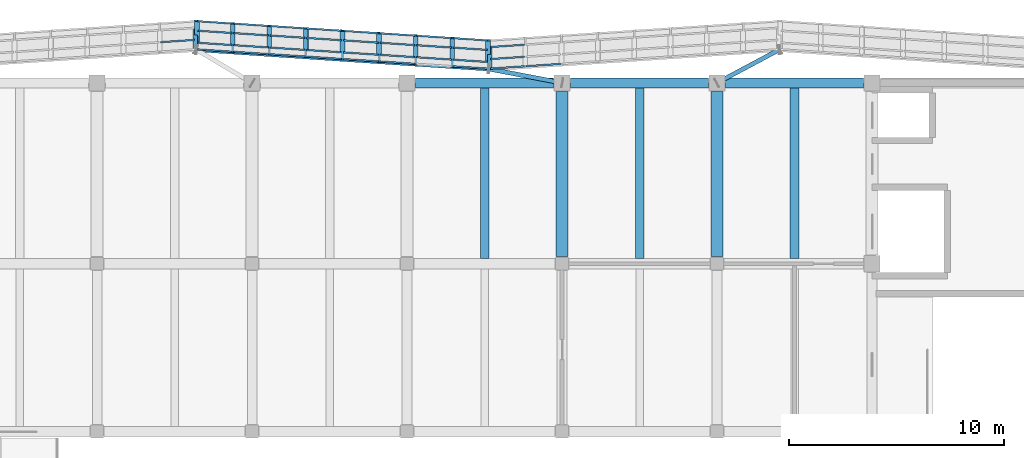
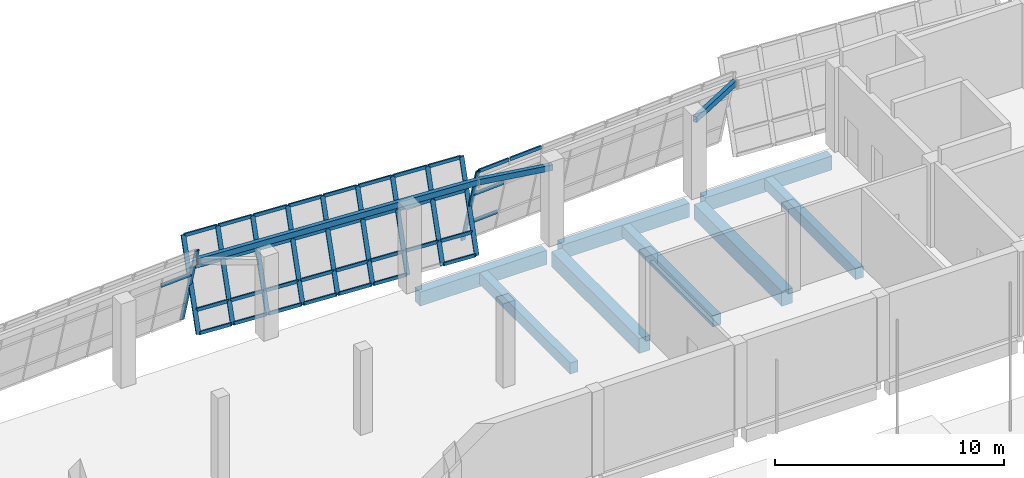
# One storey, part 34 of 71: 47 members, 11 beams, 3 elements without a shape of their own.
"""IFC4 building model written with IfcOpenShell, lengths in metres."""

import ifcopenshell
import ifcopenshell.guid

model = None  # the IFC model being written
_history = None  # IfcOwnerHistory: only IFC2X3 demands one
_inside = {}  # id of a spatial element -> (the spatial element, [elements in it])
_under = {}  # id of a project, library or spatial element -> (it, [spatial elements below it])
_declared = {}  # id of a project -> (the project, [libraries it declares])
_typed = {}  # id of a type object -> (the type object, [elements of that type])
_made_of = {}  # id of a material, layer set ... -> (it, [elements and type objects made of it])


def new_model(schema):
    """Start an empty IFC model of exactly this schema.

    Asked for "IFC4X3", IfcOpenShell would pick the latest addendum, in which some entities
    have other attributes; the version numbers below select the first issue.
    IFC2X3 requires an IfcOwnerHistory on every rooted entity: one is made here for all.
    """
    global model, _history
    if schema == "IFC4X3":
        model = ifcopenshell.file(schema_version=(4, 3, 0, 0))
    else:
        model = ifcopenshell.file(schema=schema)
    _inside.clear()
    _under.clear()
    _declared.clear()
    _typed.clear()
    _made_of.clear()
    _history = None
    if model.schema == "IFC2X3":
        org = make("IfcOrganization", Name="unknown")
        user = make(
            "IfcPersonAndOrganization",
            ThePerson=make("IfcPerson", FamilyName="unknown"),
            TheOrganization=org,
        )
        app = make(
            "IfcApplication",
            ApplicationDeveloper=org,
            Version="unknown",
            ApplicationFullName="unknown",
            ApplicationIdentifier="unknown",
        )
        _history = make(
            "IfcOwnerHistory",
            OwningUser=user,
            OwningApplication=app,
            ChangeAction="ADDED",
            CreationDate=0,
        )
    return model


def make(cls, **values):
    """One entity of the class cls with the attributes given. An attribute that is None is left unset."""
    return model.create_entity(
        cls, **{name: value for name, value in values.items() if value is not None}
    )


def rooted(cls, **values):
    """An entity with a GlobalId (a new one), such as an element, a storey or a relation."""
    return make(cls, GlobalId=ifcopenshell.guid.new(), OwnerHistory=_history, **values)


def si_unit(unit_type, name, prefix=None):
    """IfcSIUnit, for example si_unit("LENGTHUNIT", "METRE", prefix="MILLI")."""
    return make("IfcSIUnit", UnitType=unit_type, Prefix=prefix, Name=name)


def assignment(units):
    """IfcUnitAssignment: the units of a project."""
    return None if units is None else make("IfcUnitAssignment", Units=units)


def point(xyz):
    """IfcCartesianPoint."""
    return None if xyz is None else make("IfcCartesianPoint", Coordinates=xyz)


def direction(xyz):
    """IfcDirection."""
    return None if xyz is None else make("IfcDirection", DirectionRatios=xyz)


def frame(location, z_axis=None, x_axis=None):
    """IfcAxis2Placement3D, a coordinate frame: its origin and axes. An axis left out is left unset."""
    return make(
        "IfcAxis2Placement3D",
        Location=point(location),
        Axis=direction(z_axis),
        RefDirection=direction(x_axis),
    )


def frame_2d(location, x_axis=None):
    """IfcAxis2Placement2D, a coordinate frame in the plane: its origin and x axis."""
    return make(
        "IfcAxis2Placement2D", Location=point(location), RefDirection=direction(x_axis)
    )


def origin():
    """The frame at (0, 0, 0) with its axes left unset."""
    return frame((0.0, 0.0, 0.0))


def origin_2d():
    """The frame at (0, 0) in the plane with its x axis left unset."""
    return frame_2d((0.0, 0.0))


def place(relative_to, where):
    """IfcLocalPlacement: puts the frame where relative to a parent placement (None: the world)."""
    return make(
        "IfcLocalPlacement", PlacementRelTo=relative_to, RelativePlacement=where
    )


def context(
    kind, dimensions, precision=None, world=None, true_north=None, identifier=None
):
    """IfcGeometricRepresentationContext, for example the 3D "Model" context."""
    return make(
        "IfcGeometricRepresentationContext",
        ContextIdentifier=identifier,
        ContextType=kind,
        CoordinateSpaceDimension=dimensions,
        Precision=precision,
        WorldCoordinateSystem=world,
        TrueNorth=true_north,
    )


def subcontext(parent, identifier, kind, view, scale=None):
    """IfcGeometricRepresentationSubContext, for example "Body" below "Model"."""
    return make(
        "IfcGeometricRepresentationSubContext",
        ContextIdentifier=identifier,
        ContextType=kind,
        ParentContext=parent,
        TargetScale=scale,
        TargetView=view,
    )


def project(units=None, contexts=None):
    """IfcProject with its units and contexts."""
    return rooted(
        "IfcProject",
        Name="project",
        RepresentationContexts=contexts,
        UnitsInContext=assignment(units),
    )


def spatial(cls, under=None, at=None, **own):
    """A site, building, storey or space (cls), placed at a placement, below another one or the project."""
    s = rooted(cls, ObjectPlacement=at, **own)
    if under is not None:
        _under.setdefault(under.id(), (under, []))[1].append(s)
    return s


def profile(cls, at=None, kind="AREA", **sizes):
    """A parametric profile (cls). Its sizes go by their IFC names, for example OverallWidth=200.0."""
    return make(cls, ProfileType=kind, Position=at, **sizes)


def rectangle(**sizes):
    """IfcRectangleProfileDef."""
    return profile("IfcRectangleProfileDef", **sizes)


def hollow_rectangle(**sizes):
    """IfcRectangleHollowProfileDef."""
    return profile("IfcRectangleHollowProfileDef", **sizes)


def extrude(swept, where, along, depth):
    """IfcExtrudedAreaSolid: the profile swept, set in the frame where, extruded along a direction by depth."""
    return make(
        "IfcExtrudedAreaSolid",
        SweptArea=swept,
        Position=where,
        ExtrudedDirection=direction(along),
        Depth=depth,
    )


def shape(context_of_items, identifier, shape_type, items):
    """IfcShapeRepresentation: the items that make up one representation, for example the "Body"."""
    return make(
        "IfcShapeRepresentation",
        ContextOfItems=context_of_items,
        RepresentationIdentifier=identifier,
        RepresentationType=shape_type,
        Items=items,
    )


def material(Name=None, Category=None):
    """IfcMaterial."""
    return make("IfcMaterial", Name=Name, Category=Category)


def material_profile(
    of_material, cross_section, Name=None, Category=None, Priority=None
):
    """IfcMaterialProfile: a cross section and its material."""
    return make(
        "IfcMaterialProfile",
        Name=Name,
        Material=of_material,
        Profile=cross_section,
        Priority=Priority,
        Category=Category,
    )


def profile_set(profiles, Name=None, composite=None):
    """IfcMaterialProfileSet."""
    return make(
        "IfcMaterialProfileSet",
        Name=Name,
        MaterialProfiles=profiles,
        CompositeProfile=composite,
    )


def made_of(thing, what):
    """Note that an element or type object is made of a material, layer set ...; save() writes the relation."""
    if what is not None:
        _made_of.setdefault(what.id(), (what, []))[1].append(thing)
    return thing


def type_object(cls, material=None, **own):
    """A type object (cls), such as IfcWallType, which elements share."""
    return made_of(rooted(cls, **own), material)


def element(
    cls,
    number,
    at=None,
    inside=None,
    cuts=None,
    type_object=None,
    material=None,
    context=None,
    identifier="Body",
    shape_type=None,
    held_by="IfcProductDefinitionShape",
    body=None,
    shapes=None,
    **own,
):
    """One element of the class cls, such as IfcWall. Its Tag is "e" and its number.

    at: its placement. inside: the storey or other place that contains it. cuts: it is an
    opening in that element (IfcRelVoidsElement). A single representation is given by context,
    identifier, shape_type and body (its items); several are given by shapes. held_by: the class
    of the entity that holds the representations. save() writes the other relations.
    """
    e = rooted(cls, Tag="e%d" % number, ObjectPlacement=at, **own)
    if body is not None:
        shapes = [shape(context, identifier, shape_type, body)]
    if shapes is not None:
        e.Representation = make(held_by, Representations=shapes)
    if inside is not None:
        _inside.setdefault(inside.id(), (inside, []))[1].append(e)
    if cuts is not None:
        rooted(
            "IfcRelVoidsElement", RelatingBuildingElement=cuts, RelatedOpeningElement=e
        )
    if type_object is not None:
        _typed.setdefault(type_object.id(), (type_object, []))[1].append(e)
    return made_of(e, material)


def aggregate(whole, parts):
    """IfcRelAggregates: a whole, such as a stair, and the parts it consists of."""
    return rooted("IfcRelAggregates", RelatingObject=whole, RelatedObjects=parts)


def save(model, path):
    """Write the relations noted so far, then the file.

    IfcRelAggregates (storeys below a building ...), IfcRelContainedInSpatialStructure (elements
    in a storey), IfcRelDefinesByType, IfcRelAssociatesMaterial and IfcRelDeclares: one each for
    every whole, place, type object, material and project.
    """
    for whole, parts in _under.values():
        aggregate(whole, parts)
    for where, things in _inside.values():
        rooted(
            "IfcRelContainedInSpatialStructure",
            RelatedElements=things,
            RelatingStructure=where,
        )
    for kind, things in _typed.values():
        rooted("IfcRelDefinesByType", RelatedObjects=things, RelatingType=kind)
    for what, things in _made_of.values():
        rooted("IfcRelAssociatesMaterial", RelatedObjects=things, RelatingMaterial=what)
    for by, libraries in _declared.values():
        rooted("IfcRelDeclares", RelatingContext=by, RelatedDefinitions=libraries)
    model.write(path)


model = new_model("IFC4")

# Units and contexts
model_context = context("Model", 3, precision=1e-05, world=origin(), true_north=direction((0.0, 1.0)))
body_context = subcontext(model_context, "Body", "Model", "MODEL_VIEW")
ifc_project = project(units=[si_unit("LENGTHUNIT", "METRE"), si_unit("AREAUNIT", "SQUARE_METRE"), si_unit("VOLUMEUNIT", "CUBIC_METRE"), si_unit("PLANEANGLEUNIT", "RADIAN"), si_unit("MASSUNIT", "GRAM", prefix="KILO")], contexts=[model_context])

# Site, building, storey
site_placement = place(None, origin())
site = spatial("IfcSite", under=ifc_project, at=site_placement, CompositionType="ELEMENT")
building_placement = place(site_placement, origin())
building = spatial("IfcBuilding", under=site, at=building_placement, Name="Pellamere Symphony Hall", CompositionType="ELEMENT")
storey_placement = place(building_placement, frame((0.0, 0.0, 15.0)))
storey = spatial("IfcBuildingStorey", under=building, at=storey_placement, Name="L03", CompositionType="ELEMENT", Elevation=15.0)

# Curtain wall, member
ifc_material_1 = material(Name="Thermally Broken Anodised Aluminium 6063-T6 Curtain Wall", Category="aluminium")
curtain_wall_type = type_object("IfcCurtainWallType", Name="Curtain Wall CW-01 (Tilted Faceted Crystal Low-Iron Curtain Wall)", PredefinedType="NOTDEFINED", material=ifc_material_1)
curtain_wall_1_placement = place(storey_placement, origin())
curtain_wall_1 = element("IfcCurtainWall", 1, at=curtain_wall_1_placement, inside=storey, type_object=curtain_wall_type, Name="Crystal Faceted Curtain Wall CW-CR11 (L03)", PredefinedType="NOTDEFINED")
ifc_material_2 = material(Name="Anodised Architectural Aluminium 6063-T6", Category="aluminium")
ifc_material_profile_1 = material_profile(ifc_material_2, hollow_rectangle(XDim=0.074951171875, YDim=0.219970703125, WallThickness=0.0048828125, at=origin_2d()), Name="ALU-M75X220X5")
ifc_profile_set_1 = profile_set([ifc_material_profile_1], Name="Anodised Architectural Aluminium 6063-T6")
member_type_1 = type_object("IfcMemberType", Name="Curtain Wall Mullion ML-01 ALU-M75X220X5", PredefinedType="MULLION", material=ifc_profile_set_1)
member_1_placement = place(storey_placement, frame((91.4375, 95.58544921875, 0.0), z_axis=(0.0, -0.284024567884, 0.95881700279), x_axis=(0.066519010519, -0.956693374484, -0.283395498301)))
member_1 = element("IfcMember", 2, at=member_1_placement, type_object=member_type_1, Name="CW1-026 crystal mullion 9", PredefinedType="MULLION", context=body_context, shape_type="SweptSolid", body=[
    extrude(hollow_rectangle(XDim=0.074951171875, YDim=0.219970703125, WallThickness=0.0048828125, at=origin_2d()), origin(), (0.0, 0.0, 1.0), 4.693359375),
])

# Curtain wall, members
curtain_wall_2_placement = place(storey_placement, origin())
curtain_wall_2 = element("IfcCurtainWall", 3, at=curtain_wall_2_placement, inside=storey, type_object=curtain_wall_type, Name="Crystal Faceted Curtain Wall CW-CR12 (L03)", PredefinedType="NOTDEFINED")
member_2_placement = place(storey_placement, frame((91.362548828125, 94.25244140625, 0.0), z_axis=(0.0, 0.284024567884, 0.95881700279), x_axis=(0.066032040643, 0.956724387709, -0.283404685161)))
member_2 = element("IfcMember", 4, at=member_2_placement, type_object=member_type_1, Name="CW1-029 crystal mullion 1", PredefinedType="MULLION", context=body_context, shape_type="SweptSolid", body=[
    extrude(hollow_rectangle(XDim=0.074951171875, YDim=0.219970703125, WallThickness=0.0048828125, at=origin_2d()), origin(), (0.0, 0.0, 1.0), 4.693359375),
])
member_3_placement = place(storey_placement, frame((89.699951171875, 94.362548828125, 0.0), z_axis=(0.0, 0.284024567884, 0.95881700279), x_axis=(0.066032040643, 0.956724387709, -0.283404685161)))
member_3 = element("IfcMember", 5, at=member_3_placement, type_object=member_type_1, Name="CW1-029 crystal mullion 2", PredefinedType="MULLION", context=body_context, shape_type="SweptSolid", body=[
    extrude(hollow_rectangle(XDim=0.074951171875, YDim=0.219970703125, WallThickness=0.0048828125, at=origin_2d()), origin(), (0.0, 0.0, 1.0), 4.693359375),
])
member_4_placement = place(storey_placement, frame((88.0, 94.47509765625, 0.0), z_axis=(0.0, 0.284024567884, 0.95881700279), x_axis=(0.066032040643, 0.956724387709, -0.283404685161)))
member_4 = element("IfcMember", 6, at=member_4_placement, type_object=member_type_1, Name="CW1-029 crystal mullion 3", PredefinedType="MULLION", context=body_context, shape_type="SweptSolid", body=[
    extrude(hollow_rectangle(XDim=0.074951171875, YDim=0.219970703125, WallThickness=0.0048828125, at=origin_2d()), origin(), (0.0, 0.0, 1.0), 4.693359375),
])
member_5_placement = place(storey_placement, frame((86.300048828125, 94.58740234375, 0.0), z_axis=(0.0, 0.284024567884, 0.95881700279), x_axis=(0.066032040643, 0.956724387709, -0.283404685161)))
member_5 = element("IfcMember", 7, at=member_5_placement, type_object=member_type_1, Name="CW1-029 crystal mullion 4", PredefinedType="MULLION", context=body_context, shape_type="SweptSolid", body=[
    extrude(hollow_rectangle(XDim=0.074951171875, YDim=0.219970703125, WallThickness=0.0048828125, at=origin_2d()), origin(), (0.0, 0.0, 1.0), 4.693359375),
])
member_6_placement = place(storey_placement, frame((84.60009765625, 94.699951171875, 0.0), z_axis=(0.0, 0.284024567884, 0.95881700279), x_axis=(0.066032040643, 0.956724387709, -0.283404685161)))
member_6 = element("IfcMember", 8, at=member_6_placement, type_object=member_type_1, Name="CW1-029 crystal mullion 5", PredefinedType="MULLION", context=body_context, shape_type="SweptSolid", body=[
    extrude(hollow_rectangle(XDim=0.074951171875, YDim=0.219970703125, WallThickness=0.0048828125, at=origin_2d()), origin(), (0.0, 0.0, 1.0), 4.693359375),
])
member_7_placement = place(storey_placement, frame((82.89990234375, 94.8125, 0.0), z_axis=(0.0, 0.284024567884, 0.95881700279), x_axis=(0.066032040643, 0.956724387709, -0.283404685161)))
member_7 = element("IfcMember", 9, at=member_7_placement, type_object=member_type_1, Name="CW1-029 crystal mullion 6", PredefinedType="MULLION", context=body_context, shape_type="SweptSolid", body=[
    extrude(hollow_rectangle(XDim=0.074951171875, YDim=0.219970703125, WallThickness=0.0048828125, at=origin_2d()), origin(), (0.0, 0.0, 1.0), 4.693359375),
])
member_8_placement = place(storey_placement, frame((81.199951171875, 94.925048828125, 0.0), z_axis=(0.0, 0.284024567884, 0.95881700279), x_axis=(0.066032040643, 0.956724387709, -0.283404685161)))
member_8 = element("IfcMember", 10, at=member_8_placement, type_object=member_type_1, Name="CW1-029 crystal mullion 7", PredefinedType="MULLION", context=body_context, shape_type="SweptSolid", body=[
    extrude(hollow_rectangle(XDim=0.074951171875, YDim=0.219970703125, WallThickness=0.0048828125, at=origin_2d()), origin(), (0.0, 0.0, 1.0), 4.693359375),
])
member_9_placement = place(storey_placement, frame((79.5, 95.03759765625, 0.0), z_axis=(0.0, 0.284024567884, 0.95881700279), x_axis=(0.066032040643, 0.956724387709, -0.283404685161)))
member_9 = element("IfcMember", 11, at=member_9_placement, type_object=member_type_1, Name="CW1-029 crystal mullion 8", PredefinedType="MULLION", context=body_context, shape_type="SweptSolid", body=[
    extrude(hollow_rectangle(XDim=0.074951171875, YDim=0.219970703125, WallThickness=0.0048828125, at=origin_2d()), origin(), (0.0, 0.0, 1.0), 4.693359375),
])
member_10_placement = place(storey_placement, frame((77.83740234375, 95.1474609375, 0.0), z_axis=(0.0, 0.284024567884, 0.95881700279), x_axis=(0.066032040643, 0.956724387709, -0.283404685161)))
member_10 = element("IfcMember", 12, at=member_10_placement, type_object=member_type_1, Name="CW1-029 crystal mullion 9", PredefinedType="MULLION", context=body_context, shape_type="SweptSolid", body=[
    extrude(hollow_rectangle(XDim=0.074951171875, YDim=0.219970703125, WallThickness=0.0048828125, at=origin_2d()), origin(), (0.0, 0.0, 1.0), 4.693359375),
])

# Curtain wall, member
curtain_wall_3_placement = place(storey_placement, origin())
curtain_wall_3 = element("IfcCurtainWall", 13, at=curtain_wall_3_placement, inside=storey, type_object=curtain_wall_type, Name="Crystal Faceted Curtain Wall CW-CR13 (L03)", PredefinedType="NOTDEFINED")
member_11_placement = place(storey_placement, frame((77.7626953125, 96.48046875, 0.0), z_axis=(0.0, -0.284024567884, 0.95881700279), x_axis=(0.066519010519, -0.956693374484, -0.283395498301)))
member_11 = element("IfcMember", 14, at=member_11_placement, type_object=member_type_1, Name="CW1-032 crystal mullion 1", PredefinedType="MULLION", context=body_context, shape_type="SweptSolid", body=[
    extrude(hollow_rectangle(XDim=0.074951171875, YDim=0.219970703125, WallThickness=0.0048828125, at=origin_2d()), origin(), (0.0, 0.0, 1.0), 4.693359375),
])

# Member
ifc_material_profile_2 = material_profile(ifc_material_2, hollow_rectangle(XDim=0.074951171875, YDim=0.179931640625, WallThickness=0.0048828125, at=origin_2d()), Name="ALU-T75X180X5")
ifc_profile_set_2 = profile_set([ifc_material_profile_2], Name="Anodised Architectural Aluminium 6063-T6")
member_type_2 = type_object("IfcMemberType", Name="Curtain Wall Transom TR-01 ALU-T75X180X5", PredefinedType="USERDEFINED", material=ifc_profile_set_2)
member_12_placement = place(storey_placement, frame((94.737548828125, 94.483154296875, 4.464111328125), z_axis=(-0.997788498757, -0.06646887804, 0.0), x_axis=(0.06646887804, -0.997788498757, 0.0)))
member_12 = element("IfcMember", 15, at=member_12_placement, type_object=member_type_2, Name="CW1-026 crystal transom 7.4", ObjectType="TRANSOM", PredefinedType="USERDEFINED", context=body_context, shape_type="SweptSolid", body=[
    extrude(hollow_rectangle(XDim=0.074951171875, YDim=0.179931640625, WallThickness=0.0048828125, at=origin_2d()), origin(), (0.0, 0.0, 1.0), 1.6162109375),
])

member_13_placement = place(storey_placement, frame((93.050048828125, 95.373046875, 1.080078125), z_axis=(-0.997786526209, -0.066498482063, 0.0), x_axis=(0.066498482063, -0.997786526209, 0.0)))
member_13 = element("IfcMember", 16, at=member_13_placement, type_object=member_type_2, Name="CW1-026 crystal transom 8.2", ObjectType="TRANSOM", PredefinedType="USERDEFINED", context=body_context, shape_type="SweptSolid", body=[
    extrude(hollow_rectangle(XDim=0.074951171875, YDim=0.179931640625, WallThickness=0.0048828125, at=origin_2d()), origin(), (0.0, 0.0, 1.0), 1.57861328125),
])

member_14_placement = place(storey_placement, frame((93.050048828125, 94.813232421875, 2.969970703125), z_axis=(-0.997786526209, -0.066498482063, 0.0), x_axis=(0.066498482063, -0.997786526209, 0.0)))
member_14 = element("IfcMember", 17, at=member_14_placement, type_object=member_type_2, Name="CW1-026 crystal transom 8.3", ObjectType="TRANSOM", PredefinedType="USERDEFINED", context=body_context, shape_type="SweptSolid", body=[
    extrude(hollow_rectangle(XDim=0.074951171875, YDim=0.179931640625, WallThickness=0.0048828125, at=origin_2d()), origin(), (0.0, 0.0, 1.0), 1.57861328125),
])

member_15_placement = place(storey_placement, frame((93.050048828125, 94.37060546875, 4.464111328125), z_axis=(-0.997786526209, -0.066498482063, 0.0), x_axis=(0.066498482063, -0.997786526209, 0.0)))
member_15 = element("IfcMember", 18, at=member_15_placement, type_object=member_type_2, Name="CW1-026 crystal transom 8.4", ObjectType="TRANSOM", PredefinedType="USERDEFINED", context=body_context, shape_type="SweptSolid", body=[
    extrude(hollow_rectangle(XDim=0.074951171875, YDim=0.179931640625, WallThickness=0.0048828125, at=origin_2d()), origin(), (0.0, 0.0, 1.0), 1.57861328125),
])

aggregate(curtain_wall_1, [member_1, member_12, member_13, member_14, member_15])

member_16_placement = place(storey_placement, frame((91.3251953125, 94.265625, 0.035888671875), z_axis=(-0.997821663418, 0.065969144414, 0.0), x_axis=(-0.065969144414, -0.997821663418, 0.0)))
member_16 = element("IfcMember", 19, at=member_16_placement, type_object=member_type_2, Name="CW1-029 crystal transom 1.1", ObjectType="TRANSOM", PredefinedType="USERDEFINED", context=body_context, shape_type="SweptSolid", body=[
    extrude(hollow_rectangle(XDim=0.074951171875, YDim=0.179931640625, WallThickness=0.0048828125, at=origin_2d()), origin(), (0.0, 0.0, 1.0), 1.59130859375),
])

member_17_placement = place(storey_placement, frame((91.3251953125, 94.574951171875, 1.080078125), z_axis=(-0.997821663418, 0.065969144414, 0.0), x_axis=(-0.065969144414, -0.997821663418, 0.0)))
member_17 = element("IfcMember", 20, at=member_17_placement, type_object=member_type_2, Name="CW1-029 crystal transom 1.2", ObjectType="TRANSOM", PredefinedType="USERDEFINED", context=body_context, shape_type="SweptSolid", body=[
    extrude(hollow_rectangle(XDim=0.074951171875, YDim=0.179931640625, WallThickness=0.0048828125, at=origin_2d()), origin(), (0.0, 0.0, 1.0), 1.59130859375),
])

member_18_placement = place(storey_placement, frame((91.3251953125, 95.134765625, 2.969970703125), z_axis=(-0.997821663418, 0.065969144414, 0.0), x_axis=(-0.065969144414, -0.997821663418, 0.0)))
member_18 = element("IfcMember", 21, at=member_18_placement, type_object=member_type_2, Name="CW1-029 crystal transom 1.3", ObjectType="TRANSOM", PredefinedType="USERDEFINED", context=body_context, shape_type="SweptSolid", body=[
    extrude(hollow_rectangle(XDim=0.074951171875, YDim=0.179931640625, WallThickness=0.0048828125, at=origin_2d()), origin(), (0.0, 0.0, 1.0), 1.59130859375),
])

member_19_placement = place(storey_placement, frame((91.3251953125, 95.577392578125, 4.464111328125), z_axis=(-0.997821663418, 0.065969144414, 0.0), x_axis=(-0.065969144414, -0.997821663418, 0.0)))
member_19 = element("IfcMember", 22, at=member_19_placement, type_object=member_type_2, Name="CW1-029 crystal transom 1.4", ObjectType="TRANSOM", PredefinedType="USERDEFINED", context=body_context, shape_type="SweptSolid", body=[
    extrude(hollow_rectangle(XDim=0.074951171875, YDim=0.179931640625, WallThickness=0.0048828125, at=origin_2d()), origin(), (0.0, 0.0, 1.0), 1.59130859375),
])

member_20_placement = place(storey_placement, frame((89.66259765625, 94.684814453125, 1.080078125), z_axis=(-0.9978129259, 0.066101171747, 0.0), x_axis=(-0.066101171747, -0.9978129259, 0.0)))
member_20 = element("IfcMember", 23, at=member_20_placement, type_object=member_type_2, Name="CW1-029 crystal transom 2.2", ObjectType="TRANSOM", PredefinedType="USERDEFINED", context=body_context, shape_type="SweptSolid", body=[
    extrude(hollow_rectangle(XDim=0.074951171875, YDim=0.179931640625, WallThickness=0.0048828125, at=origin_2d()), origin(), (0.0, 0.0, 1.0), 1.62890625),
])

member_21_placement = place(storey_placement, frame((89.66259765625, 95.244873046875, 2.969970703125), z_axis=(-0.997822801026, 0.065951935174, 0.0), x_axis=(-0.065951935174, -0.997822801026, 0.0)))
member_21 = element("IfcMember", 24, at=member_21_placement, type_object=member_type_2, Name="CW1-029 crystal transom 2.3", ObjectType="TRANSOM", PredefinedType="USERDEFINED", context=body_context, shape_type="SweptSolid", body=[
    extrude(hollow_rectangle(XDim=0.074951171875, YDim=0.179931640625, WallThickness=0.0048828125, at=origin_2d()), origin(), (0.0, 0.0, 1.0), 1.62890625),
])

member_22_placement = place(storey_placement, frame((89.66259765625, 95.687255859375, 4.464111328125), z_axis=(-0.9978129259, 0.066101171747, 0.0), x_axis=(-0.066101171747, -0.9978129259, 0.0)))
member_22 = element("IfcMember", 25, at=member_22_placement, type_object=member_type_2, Name="CW1-029 crystal transom 2.4", ObjectType="TRANSOM", PredefinedType="USERDEFINED", context=body_context, shape_type="SweptSolid", body=[
    extrude(hollow_rectangle(XDim=0.074951171875, YDim=0.179931640625, WallThickness=0.0048828125, at=origin_2d()), origin(), (0.0, 0.0, 1.0), 1.62890625),
])

member_23_placement = place(storey_placement, frame((87.962646484375, 94.488037109375, 0.035888671875), z_axis=(-0.9978129259, 0.066101171747, 0.0), x_axis=(-0.066101171747, -0.9978129259, 0.0)))
member_23 = element("IfcMember", 26, at=member_23_placement, type_object=member_type_2, Name="CW1-029 crystal transom 3.1", ObjectType="TRANSOM", PredefinedType="USERDEFINED", context=body_context, shape_type="SweptSolid", body=[
    extrude(hollow_rectangle(XDim=0.074951171875, YDim=0.179931640625, WallThickness=0.0048828125, at=origin_2d()), origin(), (0.0, 0.0, 1.0), 1.62890625),
])

member_24_placement = place(storey_placement, frame((87.962646484375, 94.79736328125, 1.080078125), z_axis=(-0.9978129259, 0.066101171747, 0.0), x_axis=(-0.066101171747, -0.9978129259, 0.0)))
member_24 = element("IfcMember", 27, at=member_24_placement, type_object=member_type_2, Name="CW1-029 crystal transom 3.2", ObjectType="TRANSOM", PredefinedType="USERDEFINED", context=body_context, shape_type="SweptSolid", body=[
    extrude(hollow_rectangle(XDim=0.074951171875, YDim=0.179931640625, WallThickness=0.0048828125, at=origin_2d()), origin(), (0.0, 0.0, 1.0), 1.62890625),
])

member_25_placement = place(storey_placement, frame((87.962646484375, 95.357177734375, 2.969970703125), z_axis=(-0.9978129259, 0.066101171747, 0.0), x_axis=(-0.066101171747, -0.9978129259, 0.0)))
member_25 = element("IfcMember", 28, at=member_25_placement, type_object=member_type_2, Name="CW1-029 crystal transom 3.3", ObjectType="TRANSOM", PredefinedType="USERDEFINED", context=body_context, shape_type="SweptSolid", body=[
    extrude(hollow_rectangle(XDim=0.074951171875, YDim=0.179931640625, WallThickness=0.0048828125, at=origin_2d()), origin(), (0.0, 0.0, 1.0), 1.62890625),
])

member_26_placement = place(storey_placement, frame((87.962646484375, 95.7998046875, 4.464111328125), z_axis=(-0.9978129259, 0.066101171747, 0.0), x_axis=(-0.066101171747, -0.9978129259, 0.0)))
member_26 = element("IfcMember", 29, at=member_26_placement, type_object=member_type_2, Name="CW1-029 crystal transom 3.4", ObjectType="TRANSOM", PredefinedType="USERDEFINED", context=body_context, shape_type="SweptSolid", body=[
    extrude(hollow_rectangle(XDim=0.074951171875, YDim=0.179931640625, WallThickness=0.0048828125, at=origin_2d()), origin(), (0.0, 0.0, 1.0), 1.62890625),
])

member_27_placement = place(storey_placement, frame((86.2626953125, 94.6005859375, 0.035888671875), z_axis=(-0.9978129259, 0.066101171747, 0.0), x_axis=(-0.066101171747, -0.9978129259, 0.0)))
member_27 = element("IfcMember", 30, at=member_27_placement, type_object=member_type_2, Name="CW1-029 crystal transom 4.1", ObjectType="TRANSOM", PredefinedType="USERDEFINED", context=body_context, shape_type="SweptSolid", body=[
    extrude(hollow_rectangle(XDim=0.074951171875, YDim=0.179931640625, WallThickness=0.0048828125, at=origin_2d()), origin(), (0.0, 0.0, 1.0), 1.62890625),
])

member_28_placement = place(storey_placement, frame((86.2626953125, 94.909912109375, 1.080078125), z_axis=(-0.997822801026, 0.065951935174, 0.0), x_axis=(-0.065951935174, -0.997822801026, 0.0)))
member_28 = element("IfcMember", 31, at=member_28_placement, type_object=member_type_2, Name="CW1-029 crystal transom 4.2", ObjectType="TRANSOM", PredefinedType="USERDEFINED", context=body_context, shape_type="SweptSolid", body=[
    extrude(hollow_rectangle(XDim=0.074951171875, YDim=0.179931640625, WallThickness=0.0048828125, at=origin_2d()), origin(), (0.0, 0.0, 1.0), 1.62890625),
])

member_29_placement = place(storey_placement, frame((86.2626953125, 95.4697265625, 2.969970703125), z_axis=(-0.9978129259, 0.066101171747, 0.0), x_axis=(-0.066101171747, -0.9978129259, 0.0)))
member_29 = element("IfcMember", 32, at=member_29_placement, type_object=member_type_2, Name="CW1-029 crystal transom 4.3", ObjectType="TRANSOM", PredefinedType="USERDEFINED", context=body_context, shape_type="SweptSolid", body=[
    extrude(hollow_rectangle(XDim=0.074951171875, YDim=0.179931640625, WallThickness=0.0048828125, at=origin_2d()), origin(), (0.0, 0.0, 1.0), 1.62890625),
])

member_30_placement = place(storey_placement, frame((86.2626953125, 95.912353515625, 4.464111328125), z_axis=(-0.997822801026, 0.065951935174, 0.0), x_axis=(-0.065951935174, -0.997822801026, 0.0)))
member_30 = element("IfcMember", 33, at=member_30_placement, type_object=member_type_2, Name="CW1-029 crystal transom 4.4", ObjectType="TRANSOM", PredefinedType="USERDEFINED", context=body_context, shape_type="SweptSolid", body=[
    extrude(hollow_rectangle(XDim=0.074951171875, YDim=0.179931640625, WallThickness=0.0048828125, at=origin_2d()), origin(), (0.0, 0.0, 1.0), 1.62890625),
])

member_31_placement = place(storey_placement, frame((84.5625, 94.713134765625, 0.035888671875), z_axis=(-0.997822148906, 0.065961800709, 0.0), x_axis=(-0.065961800709, -0.997822148906, 0.0)))
member_31 = element("IfcMember", 34, at=member_31_placement, type_object=member_type_2, Name="CW1-029 crystal transom 5.1", ObjectType="TRANSOM", PredefinedType="USERDEFINED", context=body_context, shape_type="SweptSolid", body=[
    extrude(hollow_rectangle(XDim=0.074951171875, YDim=0.179931640625, WallThickness=0.0048828125, at=origin_2d()), origin(), (0.0, 0.0, 1.0), 1.628662109375),
])

member_32_placement = place(storey_placement, frame((84.5625, 95.0224609375, 1.080078125), z_axis=(-0.997822148906, 0.065961800709, 0.0), x_axis=(-0.065961800709, -0.997822148906, 0.0)))
member_32 = element("IfcMember", 35, at=member_32_placement, type_object=member_type_2, Name="CW1-029 crystal transom 5.2", ObjectType="TRANSOM", PredefinedType="USERDEFINED", context=body_context, shape_type="SweptSolid", body=[
    extrude(hollow_rectangle(XDim=0.074951171875, YDim=0.179931640625, WallThickness=0.0048828125, at=origin_2d()), origin(), (0.0, 0.0, 1.0), 1.628662109375),
])

member_33_placement = place(storey_placement, frame((84.5625, 95.582275390625, 2.969970703125), z_axis=(-0.997822148906, 0.065961800709, 0.0), x_axis=(-0.065961800709, -0.997822148906, 0.0)))
member_33 = element("IfcMember", 36, at=member_33_placement, type_object=member_type_2, Name="CW1-029 crystal transom 5.3", ObjectType="TRANSOM", PredefinedType="USERDEFINED", context=body_context, shape_type="SweptSolid", body=[
    extrude(hollow_rectangle(XDim=0.074951171875, YDim=0.179931640625, WallThickness=0.0048828125, at=origin_2d()), origin(), (0.0, 0.0, 1.0), 1.628662109375),
])

member_34_placement = place(storey_placement, frame((84.5625, 96.02490234375, 4.464111328125), z_axis=(-0.997822148906, 0.065961800709, 0.0), x_axis=(-0.065961800709, -0.997822148906, 0.0)))
member_34 = element("IfcMember", 37, at=member_34_placement, type_object=member_type_2, Name="CW1-029 crystal transom 5.4", ObjectType="TRANSOM", PredefinedType="USERDEFINED", context=body_context, shape_type="SweptSolid", body=[
    extrude(hollow_rectangle(XDim=0.074951171875, YDim=0.179931640625, WallThickness=0.0048828125, at=origin_2d()), origin(), (0.0, 0.0, 1.0), 1.628662109375),
])

member_35_placement = place(storey_placement, frame((82.862548828125, 94.82568359375, 0.035888671875), z_axis=(-0.997822801026, 0.065951935174, 0.0), x_axis=(-0.065951935174, -0.997822801026, 0.0)))
member_35 = element("IfcMember", 38, at=member_35_placement, type_object=member_type_2, Name="CW1-029 crystal transom 6.1", ObjectType="TRANSOM", PredefinedType="USERDEFINED", context=body_context, shape_type="SweptSolid", body=[
    extrude(hollow_rectangle(XDim=0.074951171875, YDim=0.179931640625, WallThickness=0.0048828125, at=origin_2d()), origin(), (0.0, 0.0, 1.0), 1.62890625),
])

member_36_placement = place(storey_placement, frame((82.862548828125, 95.135009765625, 1.080078125), z_axis=(-0.997822801026, 0.065951935174, 0.0), x_axis=(-0.065951935174, -0.997822801026, 0.0)))
member_36 = element("IfcMember", 39, at=member_36_placement, type_object=member_type_2, Name="CW1-029 crystal transom 6.2", ObjectType="TRANSOM", PredefinedType="USERDEFINED", context=body_context, shape_type="SweptSolid", body=[
    extrude(hollow_rectangle(XDim=0.074951171875, YDim=0.179931640625, WallThickness=0.0048828125, at=origin_2d()), origin(), (0.0, 0.0, 1.0), 1.62890625),
])

member_37_placement = place(storey_placement, frame((82.862548828125, 95.69482421875, 2.969970703125), z_axis=(-0.997822801026, 0.065951935174, 0.0), x_axis=(-0.065951935174, -0.997822801026, 0.0)))
member_37 = element("IfcMember", 40, at=member_37_placement, type_object=member_type_2, Name="CW1-029 crystal transom 6.3", ObjectType="TRANSOM", PredefinedType="USERDEFINED", context=body_context, shape_type="SweptSolid", body=[
    extrude(hollow_rectangle(XDim=0.074951171875, YDim=0.179931640625, WallThickness=0.0048828125, at=origin_2d()), origin(), (0.0, 0.0, 1.0), 1.62890625),
])

member_38_placement = place(storey_placement, frame((82.862548828125, 96.13720703125, 4.464111328125), z_axis=(-0.9978129259, 0.066101171747, 0.0), x_axis=(-0.066101171747, -0.9978129259, 0.0)))
member_38 = element("IfcMember", 41, at=member_38_placement, type_object=member_type_2, Name="CW1-029 crystal transom 6.4", ObjectType="TRANSOM", PredefinedType="USERDEFINED", context=body_context, shape_type="SweptSolid", body=[
    extrude(hollow_rectangle(XDim=0.074951171875, YDim=0.179931640625, WallThickness=0.0048828125, at=origin_2d()), origin(), (0.0, 0.0, 1.0), 1.62890625),
])

member_39_placement = place(storey_placement, frame((81.16259765625, 94.938232421875, 0.035888671875), z_axis=(-0.997822801026, 0.065951935174, 0.0), x_axis=(-0.065951935174, -0.997822801026, 0.0)))
member_39 = element("IfcMember", 42, at=member_39_placement, type_object=member_type_2, Name="CW1-029 crystal transom 7.1", ObjectType="TRANSOM", PredefinedType="USERDEFINED", context=body_context, shape_type="SweptSolid", body=[
    extrude(hollow_rectangle(XDim=0.074951171875, YDim=0.179931640625, WallThickness=0.0048828125, at=origin_2d()), origin(), (0.0, 0.0, 1.0), 1.62890625),
])

member_40_placement = place(storey_placement, frame((81.16259765625, 95.247314453125, 1.080078125), z_axis=(-0.9978129259, 0.066101171747, 0.0), x_axis=(-0.066101171747, -0.9978129259, 0.0)))
member_40 = element("IfcMember", 43, at=member_40_placement, type_object=member_type_2, Name="CW1-029 crystal transom 7.2", ObjectType="TRANSOM", PredefinedType="USERDEFINED", context=body_context, shape_type="SweptSolid", body=[
    extrude(hollow_rectangle(XDim=0.074951171875, YDim=0.179931640625, WallThickness=0.0048828125, at=origin_2d()), origin(), (0.0, 0.0, 1.0), 1.62890625),
])

member_41_placement = place(storey_placement, frame((81.16259765625, 95.807373046875, 2.969970703125), z_axis=(-0.997822801026, 0.065951935174, 0.0), x_axis=(-0.065951935174, -0.997822801026, 0.0)))
member_41 = element("IfcMember", 44, at=member_41_placement, type_object=member_type_2, Name="CW1-029 crystal transom 7.3", ObjectType="TRANSOM", PredefinedType="USERDEFINED", context=body_context, shape_type="SweptSolid", body=[
    extrude(hollow_rectangle(XDim=0.074951171875, YDim=0.179931640625, WallThickness=0.0048828125, at=origin_2d()), origin(), (0.0, 0.0, 1.0), 1.62890625),
])

member_42_placement = place(storey_placement, frame((81.16259765625, 96.249755859375, 4.464111328125), z_axis=(-0.9978129259, 0.066101171747, 0.0), x_axis=(-0.066101171747, -0.9978129259, 0.0)))
member_42 = element("IfcMember", 45, at=member_42_placement, type_object=member_type_2, Name="CW1-029 crystal transom 7.4", ObjectType="TRANSOM", PredefinedType="USERDEFINED", context=body_context, shape_type="SweptSolid", body=[
    extrude(hollow_rectangle(XDim=0.074951171875, YDim=0.179931640625, WallThickness=0.0048828125, at=origin_2d()), origin(), (0.0, 0.0, 1.0), 1.62890625),
])

member_43_placement = place(storey_placement, frame((79.462646484375, 95.050537109375, 0.035888671875), z_axis=(-0.997811553112, 0.06612189105, 0.0), x_axis=(-0.06612189105, -0.997811553112, 0.0)))
member_43 = element("IfcMember", 46, at=member_43_placement, type_object=member_type_2, Name="CW1-029 crystal transom 8.1", ObjectType="TRANSOM", PredefinedType="USERDEFINED", context=body_context, shape_type="SweptSolid", body=[
    extrude(hollow_rectangle(XDim=0.074951171875, YDim=0.179931640625, WallThickness=0.0048828125, at=origin_2d()), origin(), (0.0, 0.0, 1.0), 1.59130859375),
])

member_44_placement = place(storey_placement, frame((79.462646484375, 95.35986328125, 1.080078125), z_axis=(-0.997811553112, 0.06612189105, 0.0), x_axis=(-0.06612189105, -0.997811553112, 0.0)))
member_44 = element("IfcMember", 47, at=member_44_placement, type_object=member_type_2, Name="CW1-029 crystal transom 8.2", ObjectType="TRANSOM", PredefinedType="USERDEFINED", context=body_context, shape_type="SweptSolid", body=[
    extrude(hollow_rectangle(XDim=0.074951171875, YDim=0.179931640625, WallThickness=0.0048828125, at=origin_2d()), origin(), (0.0, 0.0, 1.0), 1.59130859375),
])

member_45_placement = place(storey_placement, frame((79.462646484375, 95.919677734375, 2.969970703125), z_axis=(-0.997811553112, 0.06612189105, 0.0), x_axis=(-0.06612189105, -0.997811553112, 0.0)))
member_45 = element("IfcMember", 48, at=member_45_placement, type_object=member_type_2, Name="CW1-029 crystal transom 8.3", ObjectType="TRANSOM", PredefinedType="USERDEFINED", context=body_context, shape_type="SweptSolid", body=[
    extrude(hollow_rectangle(XDim=0.074951171875, YDim=0.179931640625, WallThickness=0.0048828125, at=origin_2d()), origin(), (0.0, 0.0, 1.0), 1.59130859375),
])

member_46_placement = place(storey_placement, frame((79.462646484375, 96.3623046875, 4.464111328125), z_axis=(-0.997821663418, 0.065969144414, 0.0), x_axis=(-0.065969144414, -0.997821663418, 0.0)))
member_46 = element("IfcMember", 49, at=member_46_placement, type_object=member_type_2, Name="CW1-029 crystal transom 8.4", ObjectType="TRANSOM", PredefinedType="USERDEFINED", context=body_context, shape_type="SweptSolid", body=[
    extrude(hollow_rectangle(XDim=0.074951171875, YDim=0.179931640625, WallThickness=0.0048828125, at=origin_2d()), origin(), (0.0, 0.0, 1.0), 1.59130859375),
])

aggregate(curtain_wall_2, [member_2, member_3, member_4, member_5, member_6, member_7, member_8, member_9, member_10, member_16, member_17, member_18, member_19, member_20, member_21, member_22, member_23, member_24, member_25, member_26, member_27, member_28, member_29, member_30, member_31, member_32, member_33, member_34, member_35, member_36, member_37, member_38, member_39, member_40, member_41, member_42, member_43, member_44, member_45, member_46])

member_47_placement = place(storey_placement, frame((77.72509765625, 95.59814453125, 2.969970703125), z_axis=(-0.997786526209, -0.066498482063, 0.0), x_axis=(0.066498482063, -0.997786526209, 0.0)))
member_47 = element("IfcMember", 50, at=member_47_placement, type_object=member_type_2, Name="CW1-032 crystal transom 1.3", ObjectType="TRANSOM", PredefinedType="USERDEFINED", context=body_context, shape_type="SweptSolid", body=[
    extrude(hollow_rectangle(XDim=0.074951171875, YDim=0.179931640625, WallThickness=0.0048828125, at=origin_2d()), origin(), (0.0, 0.0, 1.0), 1.57861328125),
])

aggregate(curtain_wall_3, [member_11, member_47])

# Beams
ifc_material_3 = material(Name="Concrete 40 MPa", Category="concrete")
ifc_material_profile_3 = material_profile(ifc_material_3, rectangle(XDim=0.550048828125, YDim=0.800048828125, at=origin_2d()), Name="RC 550x800")
ifc_profile_set_3 = profile_set([ifc_material_profile_3], Name="Concrete 40 MPa")
beam_type_1 = type_object("IfcBeamType", Name="RC CB-05 550x800", PredefinedType="BEAM", material=ifc_profile_set_3)
for number, where, z_axis, x_axis, name in (
    (51, (94.800048828125, 85.52490234375, -0.659912109375), (0.0, 1.0, 0.0), (-1.0, 0.0, 0.0), "Girder CB-05-Y1643 (L03)"),
    (52, (102.0, 85.52490234375, -0.659912109375), (0.0, 1.0, 0.0), (-1.0, 0.0, 0.0), "Girder CB-05-Y1648 (L03)"),
):
    element("IfcBeam", number, at=place(storey_placement, frame(where, z_axis=z_axis, x_axis=x_axis)), inside=storey, type_object=beam_type_1, Name=name, PredefinedType="BEAM", context=body_context, shape_type="SweptSolid", body=[
        extrude(rectangle(XDim=0.550048828125, YDim=0.800048828125, at=origin_2d()), origin(), (0.0, 0.0, 1.0), 7.675048828125),
    ])
ifc_material_profile_4 = material_profile(ifc_material_3, rectangle(XDim=0.39990234375, YDim=0.60009765625, at=origin_2d()), Name="RC 400x600")
ifc_profile_set_4 = profile_set([ifc_material_profile_4], Name="Concrete 40 MPa")
beam_type_2 = type_object("IfcBeamType", Name="RC CB-09 400x600", PredefinedType="BEAM", material=ifc_profile_set_4)
for number, where, z_axis, x_axis, name in (
    (53, (91.199951171875, 85.43994140625, -0.574951171875), (0.0, 1.0, 0.0), (-1.0, 0.0, 0.0), "Secondary Floor Beam CB-09-M1111 (L03)"),
    (54, (98.39990234375, 85.43994140625, -0.574951171875), (0.0, 1.0, 0.0), (-1.0, 0.0, 0.0), "Secondary Floor Beam CB-09-M1211 (L03)"),
    (55, (105.60009765625, 85.43994140625, -0.574951171875), (0.0, 1.0, 0.0), (-1.0, 0.0, 0.0), "Secondary Floor Beam CB-09-M1311 (L03)"),
):
    element("IfcBeam", number, at=place(storey_placement, frame(where, z_axis=z_axis, x_axis=x_axis)), inside=storey, type_object=beam_type_2, Name=name, PredefinedType="BEAM", context=body_context, shape_type="SweptSolid", body=[
        extrude(rectangle(XDim=0.39990234375, YDim=0.60009765625, at=origin_2d()), origin(), (0.0, 0.0, 1.0), 7.93505859375),
    ])
ifc_material_profile_5 = material_profile(ifc_material_3, rectangle(XDim=0.449951171875, YDim=0.75, at=origin_2d()), Name="RC 450x750")
ifc_profile_set_5 = profile_set([ifc_material_profile_5], Name="Concrete 40 MPa")
beam_type_3 = type_object("IfcBeamType", Name="RC CB-12 450x750", PredefinedType="SPANDREL", material=ifc_profile_set_5)
beam_1_placement = place(storey_placement, frame((88.0, 93.60009765625, -0.635009765625), z_axis=(1.0, 0.0, 0.0), x_axis=(0.0, 1.0, 0.0)))
element("IfcBeam", 56, at=beam_1_placement, inside=storey, type_object=beam_type_3, Name="Girder CB-12-X1598 (L03)", PredefinedType="SPANDREL", context=body_context, shape_type="SweptSolid", body=[
    extrude(rectangle(XDim=0.449951171875, YDim=0.75, at=origin_2d()), origin(), (0.0, 0.0, 1.0), 6.39990234375),
])
for number, where, z_axis, x_axis, name in (
    (57, (95.199951171875, 93.60009765625, -0.635009765625), (1.0, 0.0, 0.0), (0.0, 1.0, 0.0), "Girder CB-12-X1599 (L03)"),
    (58, (102.39990234375, 93.60009765625, -0.635009765625), (1.0, 0.0, 0.0), (0.0, 1.0, 0.0), "Girder CB-12-X1600 (L03)"),
):
    element("IfcBeam", number, at=place(storey_placement, frame(where, z_axis=z_axis, x_axis=x_axis)), inside=storey, type_object=beam_type_3, Name=name, PredefinedType="SPANDREL", context=body_context, shape_type="SweptSolid", body=[
        extrude(rectangle(XDim=0.449951171875, YDim=0.75, at=origin_2d()), origin(), (0.0, 0.0, 1.0), 6.400146484375),
    ])
ifc_material_4 = material(Name="Steel CSA G40.21 350W", Category="steel")
ifc_material_profile_6 = material_profile(ifc_material_4, hollow_rectangle(XDim=0.203125, YDim=0.3046875, WallThickness=0.0126953125, at=origin_2d()), Name="HSS305X203X13")
ifc_profile_set_6 = profile_set([ifc_material_profile_6], Name="Steel CSA G40.21 350W")
beam_type_4 = type_object("IfcBeamType", Name="Steel Spandrel SB-26 HSS305X203X13", PredefinedType="SPANDREL", material=ifc_profile_set_6)
beam_2_placement = place(storey_placement, frame((102.0, 93.60009765625, 3.93994140625), z_axis=(0.881949762875, 0.471343415956, 0.0), x_axis=(-0.471343415956, 0.881949762875, 0.0)))
element("IfcBeam", 59, at=beam_2_placement, inside=storey, type_object=beam_type_4, Name="Crystal Ring Outrigger Bracket 053 (L03)", PredefinedType="SPANDREL", context=body_context, shape_type="SweptSolid", body=[
    extrude(hollow_rectangle(XDim=0.203125, YDim=0.3046875, WallThickness=0.0126953125, at=origin_2d()), origin(), (0.0, 0.0, 1.0), 3.2880859375),
])
beam_3_placement = place(storey_placement, frame((94.800048828125, 93.60009765625, 3.93994140625), z_axis=(-0.982218609551, 0.187740786862, 0.0), x_axis=(-0.187740786862, -0.982218609551, 0.0)))
element("IfcBeam", 60, at=beam_3_placement, inside=storey, type_object=beam_type_4, Name="Crystal Ring Outrigger Bracket 060 (L03)", PredefinedType="SPANDREL", context=body_context, shape_type="SweptSolid", body=[
    extrude(hollow_rectangle(XDim=0.203125, YDim=0.3046875, WallThickness=0.0126953125, at=origin_2d()), origin(), (0.0, 0.0, 1.0), 3.461669921875),
])
beam_4_placement = place(storey_placement, frame((91.39990234375, 94.25, 3.93994140625), z_axis=(-0.997817928363, 0.066025615007, 0.0), x_axis=(-0.066025615007, -0.997817928363, 0.0)))
element("IfcBeam", 61, at=beam_4_placement, inside=storey, type_object=beam_type_4, Name="Crystal Perimeter Ring Beam CW-CR12 (L03)", PredefinedType="SPANDREL", context=body_context, shape_type="SweptSolid", body=[
    extrude(hollow_rectangle(XDim=0.203125, YDim=0.3046875, WallThickness=0.0126953125, at=origin_2d()), origin(), (0.0, 0.0, 1.0), 13.629638671875),
])

save(model, "model.ifc")
